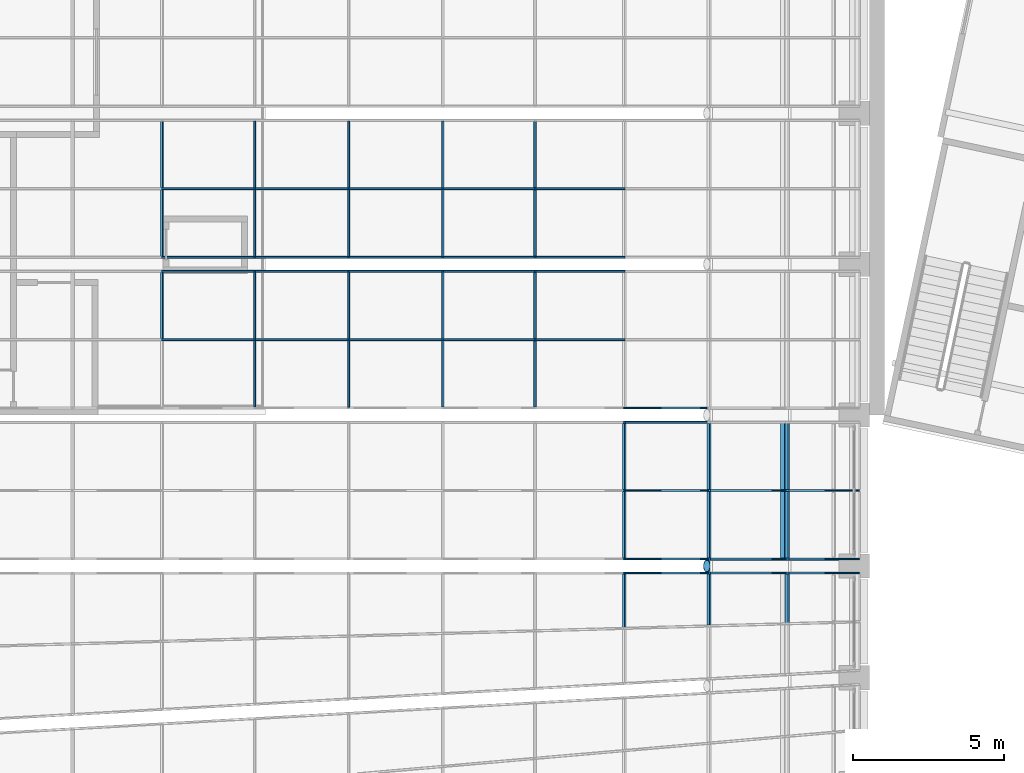
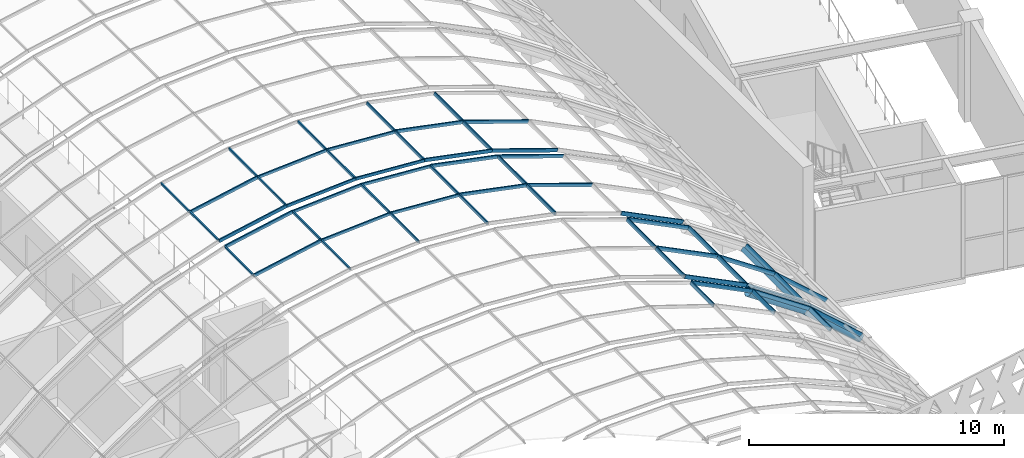
# One storey, part 43 of 182: 62 members, 4 elements without a shape of their own.
"""IFC4 building model written with IfcOpenShell, lengths in metres."""

from ifc_helpers import new_model, si_unit, direction, frame, origin, origin_2d, place, context, subcontext, project, spatial, rectangle, hollow_rectangle, hollow_circle, extrude, material, material_profile, profile_set, type_object, element, aggregate, save


model = new_model("IFC4")

# Units and contexts
model_context = context("Model", 3, precision=1e-05, world=origin(), true_north=direction((0.0, 1.0)))
body_context = subcontext(model_context, "Body", "Model", "MODEL_VIEW")
ifc_project = project(units=[si_unit("LENGTHUNIT", "METRE"), si_unit("AREAUNIT", "SQUARE_METRE"), si_unit("VOLUMEUNIT", "CUBIC_METRE"), si_unit("PLANEANGLEUNIT", "RADIAN"), si_unit("MASSUNIT", "GRAM", prefix="KILO")], contexts=[model_context])

# Site, building, storey
site_placement = place(None, origin())
site = spatial("IfcSite", under=ifc_project, at=site_placement, CompositionType="ELEMENT")
building_placement = place(site_placement, origin())
building = spatial("IfcBuilding", under=site, at=building_placement, Name="Okhra Congress Centre", CompositionType="ELEMENT")
storey_placement = place(building_placement, frame((0.0, 0.0, 7.199951171875)))
storey = spatial("IfcBuildingStorey", under=building, at=storey_placement, Name="L01", CompositionType="ELEMENT", Elevation=7.199951171875)

# Curtain wall, members
ifc_material_1 = material(Name="Aluminium frame with triple glazing", Category="aluminium")
curtain_wall_type = type_object("IfcCurtainWallType", Name="Glazed vault bay curtain wall", PredefinedType="NOTDEFINED", material=ifc_material_1)
curtain_wall_1_placement = place(storey_placement, origin())
curtain_wall_1 = element("IfcCurtainWall", 1, at=curtain_wall_1_placement, inside=storey, type_object=curtain_wall_type, Name="Vault glazing bay 5", PredefinedType="NOTDEFINED")
ifc_material_2 = material(Name="Aluminium alloy 6063", Category="aluminium")
ifc_material_profile_1 = material_profile(ifc_material_2, rectangle(XDim=0.06005859375, YDim=0.139892578125, at=origin_2d()), Name="AL 60x140")
ifc_profile_set_1 = profile_set([ifc_material_profile_1], Name="Aluminium alloy 6063")
member_type_1 = type_object("IfcMemberType", Name="Aluminium mullion 60x140", PredefinedType="MULLION", material=ifc_profile_set_1)
member_1_placement = place(storey_placement, frame((169.1337890625, 98.5, 8.7392578125), z_axis=(0.997826129775, 0.0, 0.065901553385), x_axis=(0.0, 1.0, 0.0)))
member_1 = element("IfcMember", 2, at=member_1_placement, type_object=member_type_1, Name="Vault mullion 5.2.6", PredefinedType="MULLION", context=body_context, shape_type="SweptSolid", body=[
    extrude(rectangle(XDim=0.06005859375, YDim=0.139892578125, at=origin_2d()), origin(), (0.0, 0.0, 1.0), 3.123046875),
])
member_2_placement = place(storey_placement, frame((172.25, 98.5, 8.945068359375), z_axis=(0.997826129775, 0.0, -0.065901553385), x_axis=(0.0, 1.0, 0.0)))
member_2 = element("IfcMember", 3, at=member_2_placement, type_object=member_type_1, Name="Vault mullion 5.2.7", PredefinedType="MULLION", context=body_context, shape_type="SweptSolid", body=[
    extrude(rectangle(XDim=0.06005859375, YDim=0.139892578125, at=origin_2d()), origin(), (0.0, 0.0, 1.0), 3.123046875),
])
member_3_placement = place(storey_placement, frame((169.1337890625, 100.766845703125, 8.7392578125), z_axis=(0.997826129775, 0.0, 0.065901553385), x_axis=(0.0, 1.0, 0.0)))
member_3 = element("IfcMember", 4, at=member_3_placement, type_object=member_type_1, Name="Vault mullion 5.3.6", PredefinedType="MULLION", context=body_context, shape_type="SweptSolid", body=[
    extrude(rectangle(XDim=0.06005859375, YDim=0.139892578125, at=origin_2d()), origin(), (0.0, 0.0, 1.0), 3.123046875),
])
member_4_placement = place(storey_placement, frame((172.25, 100.766845703125, 8.945068359375), z_axis=(0.997826129775, 0.0, -0.065901553385), x_axis=(0.0, 1.0, 0.0)))
member_4 = element("IfcMember", 5, at=member_4_placement, type_object=member_type_1, Name="Vault mullion 5.3.7", PredefinedType="MULLION", context=body_context, shape_type="SweptSolid", body=[
    extrude(rectangle(XDim=0.06005859375, YDim=0.139892578125, at=origin_2d()), origin(), (0.0, 0.0, 1.0), 3.123046875),
])

curtain_wall_2_placement = place(storey_placement, origin())
curtain_wall_2 = element("IfcCurtainWall", 6, at=curtain_wall_2_placement, inside=storey, type_object=curtain_wall_type, Name="Vault glazing bay 6", PredefinedType="NOTDEFINED")
member_5_placement = place(storey_placement, frame((169.1337890625, 101.233154296875, 8.7392578125), z_axis=(0.997826129775, 0.0, 0.065901553385), x_axis=(0.0, 1.0, 0.0)))
member_5 = element("IfcMember", 7, at=member_5_placement, type_object=member_type_1, Name="Vault mullion 6.1.6", PredefinedType="MULLION", context=body_context, shape_type="SweptSolid", body=[
    extrude(rectangle(XDim=0.06005859375, YDim=0.139892578125, at=origin_2d()), origin(), (0.0, 0.0, 1.0), 3.123046875),
])
member_6_placement = place(storey_placement, frame((172.25, 101.233154296875, 8.945068359375), z_axis=(0.997826129775, 0.0, -0.065901553385), x_axis=(0.0, 1.0, 0.0)))
member_6 = element("IfcMember", 8, at=member_6_placement, type_object=member_type_1, Name="Vault mullion 6.1.7", PredefinedType="MULLION", context=body_context, shape_type="SweptSolid", body=[
    extrude(rectangle(XDim=0.06005859375, YDim=0.139892578125, at=origin_2d()), origin(), (0.0, 0.0, 1.0), 3.123046875),
])
member_7_placement = place(storey_placement, frame((169.1337890625, 103.5, 8.7392578125), z_axis=(0.997826129775, 0.0, 0.065901553385), x_axis=(0.0, 1.0, 0.0)))
member_7 = element("IfcMember", 9, at=member_7_placement, type_object=member_type_1, Name="Vault mullion 6.2.6", PredefinedType="MULLION", context=body_context, shape_type="SweptSolid", body=[
    extrude(rectangle(XDim=0.06005859375, YDim=0.139892578125, at=origin_2d()), origin(), (0.0, 0.0, 1.0), 3.123046875),
])
member_8_placement = place(storey_placement, frame((172.25, 103.5, 8.945068359375), z_axis=(0.997826129775, 0.0, -0.065901553385), x_axis=(0.0, 1.0, 0.0)))
member_8 = element("IfcMember", 10, at=member_8_placement, type_object=member_type_1, Name="Vault mullion 6.2.7", PredefinedType="MULLION", context=body_context, shape_type="SweptSolid", body=[
    extrude(rectangle(XDim=0.06005859375, YDim=0.139892578125, at=origin_2d()), origin(), (0.0, 0.0, 1.0), 3.123046875),
])

# Member
ifc_material_profile_2 = material_profile(ifc_material_2, rectangle(XDim=0.06005859375, YDim=0.159912109375, at=origin_2d()), Name="AL 60x160")
ifc_profile_set_2 = profile_set([ifc_material_profile_2], Name="Aluminium alloy 6063")
member_type_2 = type_object("IfcMemberType", Name="Aluminium mullion 60x160", PredefinedType="MULLION", material=ifc_profile_set_2)
member_9_placement = place(storey_placement, frame((166.069091796875, 98.5, 8.134765625), z_axis=(0.980484387086, 0.0, 0.196596965087), x_axis=(0.0, 1.0, 0.0)))
member_9 = element("IfcMember", 11, at=member_9_placement, type_object=member_type_2, Name="Vault mullion 5.2.5", PredefinedType="MULLION", context=body_context, shape_type="SweptSolid", body=[
    extrude(rectangle(XDim=0.06005859375, YDim=0.159912109375, at=origin_2d()), origin(), (0.0, 0.0, 1.0), 3.12451171875),
])

member_10_placement = place(storey_placement, frame((175.367431640625, 98.5, 8.7490234375), z_axis=(0.980484387086, 0.0, -0.196596965087), x_axis=(0.0, 1.0, 0.0)))
member_10 = element("IfcMember", 12, at=member_10_placement, type_object=member_type_2, Name="Vault mullion 5.2.8", PredefinedType="MULLION", context=body_context, shape_type="SweptSolid", body=[
    extrude(rectangle(XDim=0.06005859375, YDim=0.159912109375, at=origin_2d()), origin(), (0.0, 0.0, 1.0), 3.12451171875),
])

member_11_placement = place(storey_placement, frame((178.430908203125, 98.5, 8.134765625), z_axis=(0.946065064306, 0.0, -0.323976687587), x_axis=(0.0, 1.0, 0.0)))
member_11 = element("IfcMember", 13, at=member_11_placement, type_object=member_type_2, Name="Vault mullion 5.2.9", PredefinedType="MULLION", context=body_context, shape_type="SweptSolid", body=[
    extrude(rectangle(XDim=0.06005859375, YDim=0.159912109375, at=origin_2d()), origin(), (0.0, 0.0, 1.0), 3.124267578125),
])

member_12_placement = place(storey_placement, frame((166.069091796875, 100.766845703125, 8.134765625), z_axis=(0.980484387086, 0.0, 0.196596965087), x_axis=(0.0, 1.0, 0.0)))
member_12 = element("IfcMember", 14, at=member_12_placement, type_object=member_type_2, Name="Vault mullion 5.3.5", PredefinedType="MULLION", context=body_context, shape_type="SweptSolid", body=[
    extrude(rectangle(XDim=0.06005859375, YDim=0.159912109375, at=origin_2d()), origin(), (0.0, 0.0, 1.0), 3.12451171875),
])

member_13_placement = place(storey_placement, frame((175.367431640625, 100.766845703125, 8.7490234375), z_axis=(0.980484387086, 0.0, -0.196596965087), x_axis=(0.0, 1.0, 0.0)))
member_13 = element("IfcMember", 15, at=member_13_placement, type_object=member_type_2, Name="Vault mullion 5.3.8", PredefinedType="MULLION", context=body_context, shape_type="SweptSolid", body=[
    extrude(rectangle(XDim=0.06005859375, YDim=0.159912109375, at=origin_2d()), origin(), (0.0, 0.0, 1.0), 3.12451171875),
])

member_14_placement = place(storey_placement, frame((178.430908203125, 100.766845703125, 8.134765625), z_axis=(0.946065064306, 0.0, -0.323976687587), x_axis=(0.0, 1.0, 0.0)))
member_14 = element("IfcMember", 16, at=member_14_placement, type_object=member_type_2, Name="Vault mullion 5.3.9", PredefinedType="MULLION", context=body_context, shape_type="SweptSolid", body=[
    extrude(rectangle(XDim=0.06005859375, YDim=0.159912109375, at=origin_2d()), origin(), (0.0, 0.0, 1.0), 3.124267578125),
])

member_15_placement = place(storey_placement, frame((166.069091796875, 101.233154296875, 8.134765625), z_axis=(0.980484387086, 0.0, 0.196596965087), x_axis=(0.0, 1.0, 0.0)))
member_15 = element("IfcMember", 17, at=member_15_placement, type_object=member_type_2, Name="Vault mullion 6.1.5", PredefinedType="MULLION", context=body_context, shape_type="SweptSolid", body=[
    extrude(rectangle(XDim=0.06005859375, YDim=0.159912109375, at=origin_2d()), origin(), (0.0, 0.0, 1.0), 3.12451171875),
])

member_16_placement = place(storey_placement, frame((175.367431640625, 101.233154296875, 8.7490234375), z_axis=(0.980484387086, 0.0, -0.196596965087), x_axis=(0.0, 1.0, 0.0)))
member_16 = element("IfcMember", 18, at=member_16_placement, type_object=member_type_2, Name="Vault mullion 6.1.8", PredefinedType="MULLION", context=body_context, shape_type="SweptSolid", body=[
    extrude(rectangle(XDim=0.06005859375, YDim=0.159912109375, at=origin_2d()), origin(), (0.0, 0.0, 1.0), 3.12451171875),
])

member_17_placement = place(storey_placement, frame((178.430908203125, 101.233154296875, 8.134765625), z_axis=(0.946065064306, 0.0, -0.323976687587), x_axis=(0.0, 1.0, 0.0)))
member_17 = element("IfcMember", 19, at=member_17_placement, type_object=member_type_2, Name="Vault mullion 6.1.9", PredefinedType="MULLION", context=body_context, shape_type="SweptSolid", body=[
    extrude(rectangle(XDim=0.06005859375, YDim=0.159912109375, at=origin_2d()), origin(), (0.0, 0.0, 1.0), 3.124267578125),
])

member_18_placement = place(storey_placement, frame((166.069091796875, 103.5, 8.134765625), z_axis=(0.980484387086, 0.0, 0.196596965087), x_axis=(0.0, 1.0, 0.0)))
member_18 = element("IfcMember", 20, at=member_18_placement, type_object=member_type_2, Name="Vault mullion 6.2.5", PredefinedType="MULLION", context=body_context, shape_type="SweptSolid", body=[
    extrude(rectangle(XDim=0.06005859375, YDim=0.159912109375, at=origin_2d()), origin(), (0.0, 0.0, 1.0), 3.12451171875),
])

member_19_placement = place(storey_placement, frame((175.367431640625, 103.5, 8.7490234375), z_axis=(0.980484387086, 0.0, -0.196596965087), x_axis=(0.0, 1.0, 0.0)))
member_19 = element("IfcMember", 21, at=member_19_placement, type_object=member_type_2, Name="Vault mullion 6.2.8", PredefinedType="MULLION", context=body_context, shape_type="SweptSolid", body=[
    extrude(rectangle(XDim=0.06005859375, YDim=0.159912109375, at=origin_2d()), origin(), (0.0, 0.0, 1.0), 3.12451171875),
])

member_20_placement = place(storey_placement, frame((178.430908203125, 103.5, 8.134765625), z_axis=(0.946065064306, 0.0, -0.323976687587), x_axis=(0.0, 1.0, 0.0)))
member_20 = element("IfcMember", 22, at=member_20_placement, type_object=member_type_2, Name="Vault mullion 6.2.9", PredefinedType="MULLION", context=body_context, shape_type="SweptSolid", body=[
    extrude(rectangle(XDim=0.06005859375, YDim=0.159912109375, at=origin_2d()), origin(), (0.0, 0.0, 1.0), 3.124267578125),
])

# Curtain wall, members
curtain_wall_3_placement = place(storey_placement, origin())
curtain_wall_3 = element("IfcCurtainWall", 23, at=curtain_wall_3_placement, inside=storey, type_object=curtain_wall_type, Name="Vault glazing bay 3", PredefinedType="NOTDEFINED")
ifc_material_profile_3 = material_profile(ifc_material_2, rectangle(XDim=0.06005859375, YDim=0.179931640625, at=origin_2d()), Name="AL 60x180")
ifc_profile_set_3 = profile_set([ifc_material_profile_3], Name="Aluminium alloy 6063")
member_type_3 = type_object("IfcMemberType", Name="Aluminium mullion 60x180", PredefinedType="MULLION", material=ifc_profile_set_3)
member_21_placement = place(storey_placement, frame((181.390625, 90.766845703125, 7.1318359375), z_axis=(0.895253656313, 0.0, -0.445556832354), x_axis=(0.0, 1.0, 0.0)))
member_21 = element("IfcMember", 24, at=member_21_placement, type_object=member_type_3, Name="Vault mullion 3.3.10", PredefinedType="MULLION", context=body_context, shape_type="SweptSolid", body=[
    extrude(rectangle(XDim=0.06005859375, YDim=0.179931640625, at=origin_2d()), origin(), (0.0, 0.0, 1.0), 3.12548828125),
])
member_22_placement = place(storey_placement, frame((184.188720703125, 90.766845703125, 5.7392578125), z_axis=(0.828827846338, 0.0, -0.559503709671), x_axis=(0.0, 1.0, 0.0)))
member_22 = element("IfcMember", 25, at=member_22_placement, type_object=member_type_3, Name="Vault mullion 3.3.11", PredefinedType="MULLION", context=body_context, shape_type="SweptSolid", body=[
    extrude(rectangle(XDim=0.06005859375, YDim=0.179931640625, at=origin_2d()), origin(), (0.0, 0.0, 1.0), 3.12548828125),
])
member_23_placement = place(storey_placement, frame((186.779296875, 90.766845703125, 3.990478515625), z_axis=(0.748025229923, 0.0, -0.663670291183), x_axis=(0.0, 1.0, 0.0)))
member_23 = element("IfcMember", 26, at=member_23_placement, type_object=member_type_3, Name="Vault mullion 3.3.12", PredefinedType="MULLION", context=body_context, shape_type="SweptSolid", body=[
    extrude(rectangle(XDim=0.06005859375, YDim=0.179931640625, at=origin_2d()), origin(), (0.0, 0.0, 1.0), 3.125732421875),
])

curtain_wall_4_placement = place(storey_placement, origin())
curtain_wall_4 = element("IfcCurtainWall", 27, at=curtain_wall_4_placement, inside=storey, type_object=curtain_wall_type, Name="Vault glazing bay 4", PredefinedType="NOTDEFINED")
member_24_placement = place(storey_placement, frame((181.390625, 91.233154296875, 7.1318359375), z_axis=(0.895253656313, 0.0, -0.445556832354), x_axis=(0.0, 1.0, 0.0)))
member_24 = element("IfcMember", 28, at=member_24_placement, type_object=member_type_3, Name="Vault mullion 4.1.10", PredefinedType="MULLION", context=body_context, shape_type="SweptSolid", body=[
    extrude(rectangle(XDim=0.06005859375, YDim=0.179931640625, at=origin_2d()), origin(), (0.0, 0.0, 1.0), 3.12548828125),
])
member_25_placement = place(storey_placement, frame((184.188720703125, 91.233154296875, 5.7392578125), z_axis=(0.828827846338, 0.0, -0.559503709671), x_axis=(0.0, 1.0, 0.0)))
member_25 = element("IfcMember", 29, at=member_25_placement, type_object=member_type_3, Name="Vault mullion 4.1.11", PredefinedType="MULLION", context=body_context, shape_type="SweptSolid", body=[
    extrude(rectangle(XDim=0.06005859375, YDim=0.179931640625, at=origin_2d()), origin(), (0.0, 0.0, 1.0), 3.12548828125),
])
member_26_placement = place(storey_placement, frame((186.779296875, 91.233154296875, 3.990478515625), z_axis=(0.748025229923, 0.0, -0.663670291183), x_axis=(0.0, 1.0, 0.0)))
member_26 = element("IfcMember", 30, at=member_26_placement, type_object=member_type_3, Name="Vault mullion 4.1.12", PredefinedType="MULLION", context=body_context, shape_type="SweptSolid", body=[
    extrude(rectangle(XDim=0.06005859375, YDim=0.179931640625, at=origin_2d()), origin(), (0.0, 0.0, 1.0), 3.125732421875),
])
member_27_placement = place(storey_placement, frame((181.390625, 93.5, 7.1318359375), z_axis=(0.895253656313, 0.0, -0.445556832354), x_axis=(0.0, 1.0, 0.0)))
member_27 = element("IfcMember", 31, at=member_27_placement, type_object=member_type_3, Name="Vault mullion 4.2.10", PredefinedType="MULLION", context=body_context, shape_type="SweptSolid", body=[
    extrude(rectangle(XDim=0.06005859375, YDim=0.179931640625, at=origin_2d()), origin(), (0.0, 0.0, 1.0), 3.12548828125),
])
member_28_placement = place(storey_placement, frame((184.188720703125, 93.5, 5.7392578125), z_axis=(0.828827846338, 0.0, -0.559503709671), x_axis=(0.0, 1.0, 0.0)))
member_28 = element("IfcMember", 32, at=member_28_placement, type_object=member_type_3, Name="Vault mullion 4.2.11", PredefinedType="MULLION", context=body_context, shape_type="SweptSolid", body=[
    extrude(rectangle(XDim=0.06005859375, YDim=0.179931640625, at=origin_2d()), origin(), (0.0, 0.0, 1.0), 3.12548828125),
])
member_29_placement = place(storey_placement, frame((186.779296875, 93.5, 3.990478515625), z_axis=(0.748025229923, 0.0, -0.663670291183), x_axis=(0.0, 1.0, 0.0)))
member_29 = element("IfcMember", 33, at=member_29_placement, type_object=member_type_3, Name="Vault mullion 4.2.12", PredefinedType="MULLION", context=body_context, shape_type="SweptSolid", body=[
    extrude(rectangle(XDim=0.06005859375, YDim=0.179931640625, at=origin_2d()), origin(), (0.0, 0.0, 1.0), 3.125732421875),
])
member_30_placement = place(storey_placement, frame((181.390625, 95.766845703125, 7.1318359375), z_axis=(0.895253656313, 0.0, -0.445556832354), x_axis=(0.0, 1.0, 0.0)))
member_30 = element("IfcMember", 34, at=member_30_placement, type_object=member_type_3, Name="Vault mullion 4.3.10", PredefinedType="MULLION", context=body_context, shape_type="SweptSolid", body=[
    extrude(rectangle(XDim=0.06005859375, YDim=0.179931640625, at=origin_2d()), origin(), (0.0, 0.0, 1.0), 3.12548828125),
])

# Member
member_31_placement = place(storey_placement, frame((181.390625, 96.233154296875, 7.1318359375), z_axis=(0.895253656313, 0.0, -0.445556832354), x_axis=(0.0, 1.0, 0.0)))
member_31 = element("IfcMember", 35, at=member_31_placement, type_object=member_type_3, Name="Vault mullion 5.1.10", PredefinedType="MULLION", context=body_context, shape_type="SweptSolid", body=[
    extrude(rectangle(XDim=0.06005859375, YDim=0.179931640625, at=origin_2d()), origin(), (0.0, 0.0, 1.0), 3.12548828125),
])

ifc_material_profile_4 = material_profile(ifc_material_2, rectangle(XDim=0.06005859375, YDim=0.139892578125, at=origin_2d()), Name="AL 60x140 transom")
ifc_profile_set_4 = profile_set([ifc_material_profile_4], Name="Aluminium alloy 6063")
member_type_4 = type_object("IfcMemberType", Name="Aluminium transom 60x140", PredefinedType="USERDEFINED", material=ifc_profile_set_4)
member_32_placement = place(storey_placement, frame((169.1337890625, 96.26318359375, 8.7392578125), z_axis=(0.0, 1.0, 0.0), x_axis=(-0.991307202734, 0.0, -0.131567586459)))
member_32 = element("IfcMember", 36, at=member_32_placement, type_object=member_type_4, Name="Vault transom 5.1.6", ObjectType="TRANSOM", PredefinedType="USERDEFINED", context=body_context, shape_type="SweptSolid", body=[
    extrude(rectangle(XDim=0.06005859375, YDim=0.139892578125, at=origin_2d()), origin(), (0.0, 0.0, 1.0), 2.206787109375),
])

member_33_placement = place(storey_placement, frame((172.25, 96.26318359375, 8.945068359375), z_axis=(0.0, 1.0, 0.0), x_axis=(-1.0, 0.0, 0.0)))
member_33 = element("IfcMember", 37, at=member_33_placement, type_object=member_type_4, Name="Vault transom 5.1.7", ObjectType="TRANSOM", PredefinedType="USERDEFINED", context=body_context, shape_type="SweptSolid", body=[
    extrude(rectangle(XDim=0.06005859375, YDim=0.139892578125, at=origin_2d()), origin(), (0.0, 0.0, 1.0), 2.206787109375),
])

member_34_placement = place(storey_placement, frame((175.3662109375, 96.26318359375, 8.7392578125), z_axis=(0.0, 1.0, 0.0), x_axis=(-0.991307202734, 0.0, 0.131567586459)))
member_34 = element("IfcMember", 38, at=member_34_placement, type_object=member_type_4, Name="Vault transom 5.1.8", ObjectType="TRANSOM", PredefinedType="USERDEFINED", context=body_context, shape_type="SweptSolid", body=[
    extrude(rectangle(XDim=0.06005859375, YDim=0.139892578125, at=origin_2d()), origin(), (0.0, 0.0, 1.0), 2.206787109375),
])

member_35_placement = place(storey_placement, frame((169.1337890625, 98.530029296875, 8.7392578125), z_axis=(0.0, 1.0, 0.0), x_axis=(-0.991307202734, 0.0, -0.131567586459)))
member_35 = element("IfcMember", 39, at=member_35_placement, type_object=member_type_4, Name="Vault transom 5.2.6", ObjectType="TRANSOM", PredefinedType="USERDEFINED", context=body_context, shape_type="SweptSolid", body=[
    extrude(rectangle(XDim=0.06005859375, YDim=0.139892578125, at=origin_2d()), origin(), (0.0, 0.0, 1.0), 2.206787109375),
])

member_36_placement = place(storey_placement, frame((172.25, 98.530029296875, 8.945068359375), z_axis=(0.0, 1.0, 0.0), x_axis=(-1.0, 0.0, 0.0)))
member_36 = element("IfcMember", 40, at=member_36_placement, type_object=member_type_4, Name="Vault transom 5.2.7", ObjectType="TRANSOM", PredefinedType="USERDEFINED", context=body_context, shape_type="SweptSolid", body=[
    extrude(rectangle(XDim=0.06005859375, YDim=0.139892578125, at=origin_2d()), origin(), (0.0, 0.0, 1.0), 2.206787109375),
])

member_37_placement = place(storey_placement, frame((175.3662109375, 98.530029296875, 8.7392578125), z_axis=(0.0, 1.0, 0.0), x_axis=(-0.991307202734, 0.0, 0.131567586459)))
member_37 = element("IfcMember", 41, at=member_37_placement, type_object=member_type_4, Name="Vault transom 5.2.8", ObjectType="TRANSOM", PredefinedType="USERDEFINED", context=body_context, shape_type="SweptSolid", body=[
    extrude(rectangle(XDim=0.06005859375, YDim=0.139892578125, at=origin_2d()), origin(), (0.0, 0.0, 1.0), 2.206787109375),
])

member_38_placement = place(storey_placement, frame((169.1337890625, 101.26318359375, 8.7392578125), z_axis=(0.0, 1.0, 0.0), x_axis=(-0.991307202734, 0.0, -0.131567586459)))
member_38 = element("IfcMember", 42, at=member_38_placement, type_object=member_type_4, Name="Vault transom 6.1.6", ObjectType="TRANSOM", PredefinedType="USERDEFINED", context=body_context, shape_type="SweptSolid", body=[
    extrude(rectangle(XDim=0.06005859375, YDim=0.139892578125, at=origin_2d()), origin(), (0.0, 0.0, 1.0), 2.206787109375),
])

member_39_placement = place(storey_placement, frame((172.25, 101.26318359375, 8.945068359375), z_axis=(0.0, 1.0, 0.0), x_axis=(-1.0, 0.0, 0.0)))
member_39 = element("IfcMember", 43, at=member_39_placement, type_object=member_type_4, Name="Vault transom 6.1.7", ObjectType="TRANSOM", PredefinedType="USERDEFINED", context=body_context, shape_type="SweptSolid", body=[
    extrude(rectangle(XDim=0.06005859375, YDim=0.139892578125, at=origin_2d()), origin(), (0.0, 0.0, 1.0), 2.206787109375),
])

member_40_placement = place(storey_placement, frame((175.3662109375, 101.26318359375, 8.7392578125), z_axis=(0.0, 1.0, 0.0), x_axis=(-0.991307202734, 0.0, 0.131567586459)))
member_40 = element("IfcMember", 44, at=member_40_placement, type_object=member_type_4, Name="Vault transom 6.1.8", ObjectType="TRANSOM", PredefinedType="USERDEFINED", context=body_context, shape_type="SweptSolid", body=[
    extrude(rectangle(XDim=0.06005859375, YDim=0.139892578125, at=origin_2d()), origin(), (0.0, 0.0, 1.0), 2.206787109375),
])

member_41_placement = place(storey_placement, frame((169.1337890625, 103.530029296875, 8.7392578125), z_axis=(0.0, 1.0, 0.0), x_axis=(-0.991307202734, 0.0, -0.131567586459)))
member_41 = element("IfcMember", 45, at=member_41_placement, type_object=member_type_4, Name="Vault transom 6.2.6", ObjectType="TRANSOM", PredefinedType="USERDEFINED", context=body_context, shape_type="SweptSolid", body=[
    extrude(rectangle(XDim=0.06005859375, YDim=0.139892578125, at=origin_2d()), origin(), (0.0, 0.0, 1.0), 2.206787109375),
])

member_42_placement = place(storey_placement, frame((172.25, 103.530029296875, 8.945068359375), z_axis=(0.0, 1.0, 0.0), x_axis=(-1.0, 0.0, 0.0)))
member_42 = element("IfcMember", 46, at=member_42_placement, type_object=member_type_4, Name="Vault transom 6.2.7", ObjectType="TRANSOM", PredefinedType="USERDEFINED", context=body_context, shape_type="SweptSolid", body=[
    extrude(rectangle(XDim=0.06005859375, YDim=0.139892578125, at=origin_2d()), origin(), (0.0, 0.0, 1.0), 2.206787109375),
])

member_43_placement = place(storey_placement, frame((175.3662109375, 103.530029296875, 8.7392578125), z_axis=(0.0, 1.0, 0.0), x_axis=(-0.991307202734, 0.0, 0.131567586459)))
member_43 = element("IfcMember", 47, at=member_43_placement, type_object=member_type_4, Name="Vault transom 6.2.8", ObjectType="TRANSOM", PredefinedType="USERDEFINED", context=body_context, shape_type="SweptSolid", body=[
    extrude(rectangle(XDim=0.06005859375, YDim=0.139892578125, at=origin_2d()), origin(), (0.0, 0.0, 1.0), 2.206787109375),
])

ifc_material_profile_5 = material_profile(ifc_material_2, rectangle(XDim=0.06005859375, YDim=0.159912109375, at=origin_2d()), Name="AL 60x160 transom")
ifc_profile_set_5 = profile_set([ifc_material_profile_5], Name="Aluminium alloy 6063")
member_type_5 = type_object("IfcMemberType", Name="Aluminium transom 60x160", PredefinedType="USERDEFINED", material=ifc_profile_set_5)
member_44_placement = place(storey_placement, frame((181.38671875, 88.966064453125, 7.12255859375), z_axis=(0.0, 1.0, 0.0), x_axis=(-0.922668973833, 0.0, 0.38559300399)))
member_44 = element("IfcMember", 48, at=member_44_placement, type_object=member_type_5, Name="Vault transom 3.2.10", ObjectType="TRANSOM", PredefinedType="USERDEFINED", context=body_context, shape_type="SweptSolid", body=[
    extrude(rectangle(XDim=0.06005859375, YDim=0.159912109375, at=origin_2d()), origin(), (0.0, 0.0, 1.0), 1.770751953125),
])

member_45_placement = place(storey_placement, frame((181.38671875, 91.26318359375, 7.12255859375), z_axis=(0.0, 1.0, 0.0), x_axis=(-0.922668973833, 0.0, 0.38559300399)))
member_45 = element("IfcMember", 49, at=member_45_placement, type_object=member_type_5, Name="Vault transom 4.1.10", ObjectType="TRANSOM", PredefinedType="USERDEFINED", context=body_context, shape_type="SweptSolid", body=[
    extrude(rectangle(XDim=0.06005859375, YDim=0.159912109375, at=origin_2d()), origin(), (0.0, 0.0, 1.0), 2.206787109375),
])

member_46_placement = place(storey_placement, frame((181.38671875, 93.530029296875, 7.12255859375), z_axis=(0.0, 1.0, 0.0), x_axis=(-0.922668973833, 0.0, 0.38559300399)))
member_46 = element("IfcMember", 50, at=member_46_placement, type_object=member_type_5, Name="Vault transom 4.2.10", ObjectType="TRANSOM", PredefinedType="USERDEFINED", context=body_context, shape_type="SweptSolid", body=[
    extrude(rectangle(XDim=0.06005859375, YDim=0.159912109375, at=origin_2d()), origin(), (0.0, 0.0, 1.0), 2.206787109375),
])

member_47_placement = place(storey_placement, frame((178.430908203125, 96.26318359375, 8.134765625), z_axis=(0.0, 1.0, 0.0), x_axis=(-0.965379940391, 0.0, 0.260847792191)))
member_47 = element("IfcMember", 51, at=member_47_placement, type_object=member_type_5, Name="Vault transom 5.1.9", ObjectType="TRANSOM", PredefinedType="USERDEFINED", context=body_context, shape_type="SweptSolid", body=[
    extrude(rectangle(XDim=0.06005859375, YDim=0.159912109375, at=origin_2d()), origin(), (0.0, 0.0, 1.0), 2.206787109375),
])

member_48_placement = place(storey_placement, frame((166.069091796875, 98.530029296875, 8.134765625), z_axis=(0.0, 1.0, 0.0), x_axis=(-0.965379940391, 0.0, -0.260847792191)))
member_48 = element("IfcMember", 52, at=member_48_placement, type_object=member_type_5, Name="Vault transom 5.2.5", ObjectType="TRANSOM", PredefinedType="USERDEFINED", context=body_context, shape_type="SweptSolid", body=[
    extrude(rectangle(XDim=0.06005859375, YDim=0.159912109375, at=origin_2d()), origin(), (0.0, 0.0, 1.0), 2.206787109375),
])

member_49_placement = place(storey_placement, frame((178.430908203125, 98.530029296875, 8.134765625), z_axis=(0.0, 1.0, 0.0), x_axis=(-0.965379940391, 0.0, 0.260847792191)))
member_49 = element("IfcMember", 53, at=member_49_placement, type_object=member_type_5, Name="Vault transom 5.2.9", ObjectType="TRANSOM", PredefinedType="USERDEFINED", context=body_context, shape_type="SweptSolid", body=[
    extrude(rectangle(XDim=0.06005859375, YDim=0.159912109375, at=origin_2d()), origin(), (0.0, 0.0, 1.0), 2.206787109375),
])

aggregate(curtain_wall_1, [member_31, member_9, member_1, member_2, member_10, member_11, member_12, member_3, member_4, member_13, member_14, member_32, member_33, member_34, member_47, member_48, member_35, member_36, member_37, member_49])

member_50_placement = place(storey_placement, frame((166.069091796875, 101.26318359375, 8.134765625), z_axis=(0.0, 1.0, 0.0), x_axis=(-0.965379940391, 0.0, -0.260847792191)))
member_50 = element("IfcMember", 54, at=member_50_placement, type_object=member_type_5, Name="Vault transom 6.1.5", ObjectType="TRANSOM", PredefinedType="USERDEFINED", context=body_context, shape_type="SweptSolid", body=[
    extrude(rectangle(XDim=0.06005859375, YDim=0.159912109375, at=origin_2d()), origin(), (0.0, 0.0, 1.0), 2.206787109375),
])

member_51_placement = place(storey_placement, frame((178.430908203125, 101.26318359375, 8.134765625), z_axis=(0.0, 1.0, 0.0), x_axis=(-0.965379940391, 0.0, 0.260847792191)))
member_51 = element("IfcMember", 55, at=member_51_placement, type_object=member_type_5, Name="Vault transom 6.1.9", ObjectType="TRANSOM", PredefinedType="USERDEFINED", context=body_context, shape_type="SweptSolid", body=[
    extrude(rectangle(XDim=0.06005859375, YDim=0.159912109375, at=origin_2d()), origin(), (0.0, 0.0, 1.0), 2.206787109375),
])

member_52_placement = place(storey_placement, frame((166.069091796875, 103.530029296875, 8.134765625), z_axis=(0.0, 1.0, 0.0), x_axis=(-0.965379940391, 0.0, -0.260847792191)))
member_52 = element("IfcMember", 56, at=member_52_placement, type_object=member_type_5, Name="Vault transom 6.2.5", ObjectType="TRANSOM", PredefinedType="USERDEFINED", context=body_context, shape_type="SweptSolid", body=[
    extrude(rectangle(XDim=0.06005859375, YDim=0.159912109375, at=origin_2d()), origin(), (0.0, 0.0, 1.0), 2.206787109375),
])

member_53_placement = place(storey_placement, frame((178.430908203125, 103.530029296875, 8.134765625), z_axis=(0.0, 1.0, 0.0), x_axis=(-0.965379940391, 0.0, 0.260847792191)))
member_53 = element("IfcMember", 57, at=member_53_placement, type_object=member_type_5, Name="Vault transom 6.2.9", ObjectType="TRANSOM", PredefinedType="USERDEFINED", context=body_context, shape_type="SweptSolid", body=[
    extrude(rectangle(XDim=0.06005859375, YDim=0.159912109375, at=origin_2d()), origin(), (0.0, 0.0, 1.0), 2.206787109375),
])

aggregate(curtain_wall_2, [member_15, member_5, member_6, member_16, member_17, member_18, member_7, member_8, member_19, member_20, member_50, member_38, member_39, member_40, member_51, member_52, member_41, member_42, member_43, member_53])

ifc_material_profile_6 = material_profile(ifc_material_2, rectangle(XDim=0.06005859375, YDim=0.179931640625, at=origin_2d()), Name="AL 60x180 transom")
ifc_profile_set_6 = profile_set([ifc_material_profile_6], Name="Aluminium alloy 6063")
member_type_6 = type_object("IfcMemberType", Name="Aluminium transom 60x180", PredefinedType="USERDEFINED", material=ifc_profile_set_6)
member_54_placement = place(storey_placement, frame((184.188720703125, 89.044921875, 5.7392578125), z_axis=(0.0, 1.0, 0.0), x_axis=(-0.86391685861, 0.0, 0.503634452167)))
member_54 = element("IfcMember", 58, at=member_54_placement, type_object=member_type_6, Name="Vault transom 3.2.11", ObjectType="TRANSOM", PredefinedType="USERDEFINED", context=body_context, shape_type="SweptSolid", body=[
    extrude(rectangle(XDim=0.06005859375, YDim=0.179931640625, at=origin_2d()), origin(), (0.0, 0.0, 1.0), 1.69189453125),
])

member_55_placement = place(storey_placement, frame((186.779296875, 89.11767578125, 3.990478515625), z_axis=(0.0, 1.0, 0.0), x_axis=(-0.790145035185, 0.0, 0.612919915954)))
member_55 = element("IfcMember", 59, at=member_55_placement, type_object=member_type_6, Name="Vault transom 3.2.12", ObjectType="TRANSOM", PredefinedType="USERDEFINED", context=body_context, shape_type="SweptSolid", body=[
    extrude(rectangle(XDim=0.06005859375, YDim=0.179931640625, at=origin_2d()), origin(), (0.0, 0.0, 1.0), 1.619140625),
])

aggregate(curtain_wall_3, [member_21, member_22, member_23, member_44, member_54, member_55])

member_56_placement = place(storey_placement, frame((184.188720703125, 91.26318359375, 5.7392578125), z_axis=(0.0, 1.0, 0.0), x_axis=(-0.86391685861, 0.0, 0.503634452167)))
member_56 = element("IfcMember", 60, at=member_56_placement, type_object=member_type_6, Name="Vault transom 4.1.11", ObjectType="TRANSOM", PredefinedType="USERDEFINED", context=body_context, shape_type="SweptSolid", body=[
    extrude(rectangle(XDim=0.06005859375, YDim=0.179931640625, at=origin_2d()), origin(), (0.0, 0.0, 1.0), 2.206787109375),
])

member_57_placement = place(storey_placement, frame((186.779296875, 91.26318359375, 3.990478515625), z_axis=(0.0, 1.0, 0.0), x_axis=(-0.790145035185, 0.0, 0.612919915954)))
member_57 = element("IfcMember", 61, at=member_57_placement, type_object=member_type_6, Name="Vault transom 4.1.12", ObjectType="TRANSOM", PredefinedType="USERDEFINED", context=body_context, shape_type="SweptSolid", body=[
    extrude(rectangle(XDim=0.06005859375, YDim=0.179931640625, at=origin_2d()), origin(), (0.0, 0.0, 1.0), 2.206787109375),
])

member_58_placement = place(storey_placement, frame((184.188720703125, 93.530029296875, 5.7392578125), z_axis=(0.0, 1.0, 0.0), x_axis=(-0.86391685861, 0.0, 0.503634452167)))
member_58 = element("IfcMember", 62, at=member_58_placement, type_object=member_type_6, Name="Vault transom 4.2.11", ObjectType="TRANSOM", PredefinedType="USERDEFINED", context=body_context, shape_type="SweptSolid", body=[
    extrude(rectangle(XDim=0.06005859375, YDim=0.179931640625, at=origin_2d()), origin(), (0.0, 0.0, 1.0), 2.206787109375),
])

member_59_placement = place(storey_placement, frame((186.779296875, 93.530029296875, 3.990478515625), z_axis=(0.0, 1.0, 0.0), x_axis=(-0.790145035185, 0.0, 0.612919915954)))
member_59 = element("IfcMember", 63, at=member_59_placement, type_object=member_type_6, Name="Vault transom 4.2.12", ObjectType="TRANSOM", PredefinedType="USERDEFINED", context=body_context, shape_type="SweptSolid", body=[
    extrude(rectangle(XDim=0.06005859375, YDim=0.179931640625, at=origin_2d()), origin(), (0.0, 0.0, 1.0), 2.206787109375),
])

aggregate(curtain_wall_4, [member_24, member_25, member_26, member_27, member_28, member_29, member_30, member_45, member_56, member_57, member_46, member_58, member_59])

# Members
ifc_material_3 = material(Name="Steel S355J2", Category="steel")
ifc_material_profile_7 = material_profile(ifc_material_3, hollow_rectangle(XDim=0.10009765625, YDim=0.199951171875, WallThickness=0.008056640625, at=origin_2d()), Name="RHS 200x100x8")
ifc_profile_set_7 = profile_set([ifc_material_profile_7], Name="Steel S355J2")
member_type_7 = type_object("IfcMemberType", Name="Steel purlin RHS 200x100x8", PredefinedType="PURLIN", material=ifc_profile_set_7)
member_60_placement = place(storey_placement, frame((186.662841796875, 91.203125, 3.84033203125), z_axis=(0.0, 1.0, 0.0), x_axis=(-0.790145035185, 0.0, 0.612919915954)))
element("IfcMember", 64, at=member_60_placement, inside=storey, type_object=member_type_7, Name="Vault purlin 4.11", PredefinedType="PURLIN", context=body_context, shape_type="SweptSolid", body=[
    extrude(hollow_rectangle(XDim=0.10009765625, YDim=0.199951171875, WallThickness=0.008056640625, at=origin_2d()), origin(), (0.0, 0.0, 1.0), 4.59375),
])
ifc_material_profile_8 = material_profile(ifc_material_3, hollow_circle(Radius=0.203125, WallThickness=0.01611328125, at=origin_2d()), Name="CHS 406.4x16")
ifc_profile_set_8 = profile_set([ifc_material_profile_8], Name="Steel S355J2")
member_type_8 = type_object("IfcMemberType", Name="Tubular steel arch rib CHS 406x16", PredefinedType="USERDEFINED", material=ifc_profile_set_8)
member_61_placement = place(storey_placement, frame((184.116943359375, 91.0, 5.589111328125), z_axis=(0.82882567543, 0.0, -0.559506925558), x_axis=(0.0, 1.0, 0.0)))
element("IfcMember", 65, at=member_61_placement, inside=storey, type_object=member_type_8, Name="Arch rib 4.11", ObjectType="Arch rib", PredefinedType="USERDEFINED", context=body_context, shape_type="SweptSolid", body=[
    extrude(hollow_circle(Radius=0.203125, WallThickness=0.01611328125, at=origin_2d()), origin(), (0.0, 0.0, 1.0), 3.07666015625),
])
member_62_placement = place(storey_placement, frame((186.6884765625, 91.0, 3.85107421875), z_axis=(0.74799336374, 0.0, -0.663706205938), x_axis=(0.0, 1.0, 0.0)))
element("IfcMember", 66, at=member_62_placement, inside=storey, type_object=member_type_8, Name="Arch rib 4.12", ObjectType="Arch rib", PredefinedType="USERDEFINED", context=body_context, shape_type="SweptSolid", body=[
    extrude(hollow_circle(Radius=0.203125, WallThickness=0.01611328125, at=origin_2d()), origin(), (0.0, 0.0, 1.0), 3.3193359375),
])

save(model, "model.ifc")
